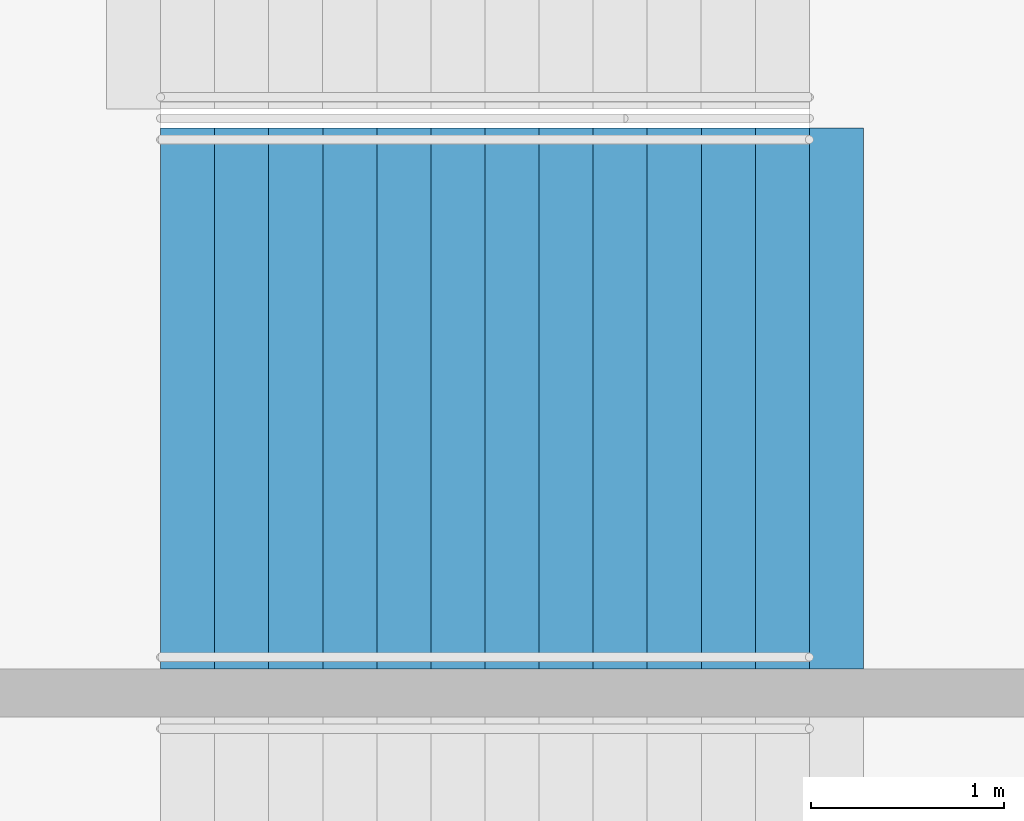
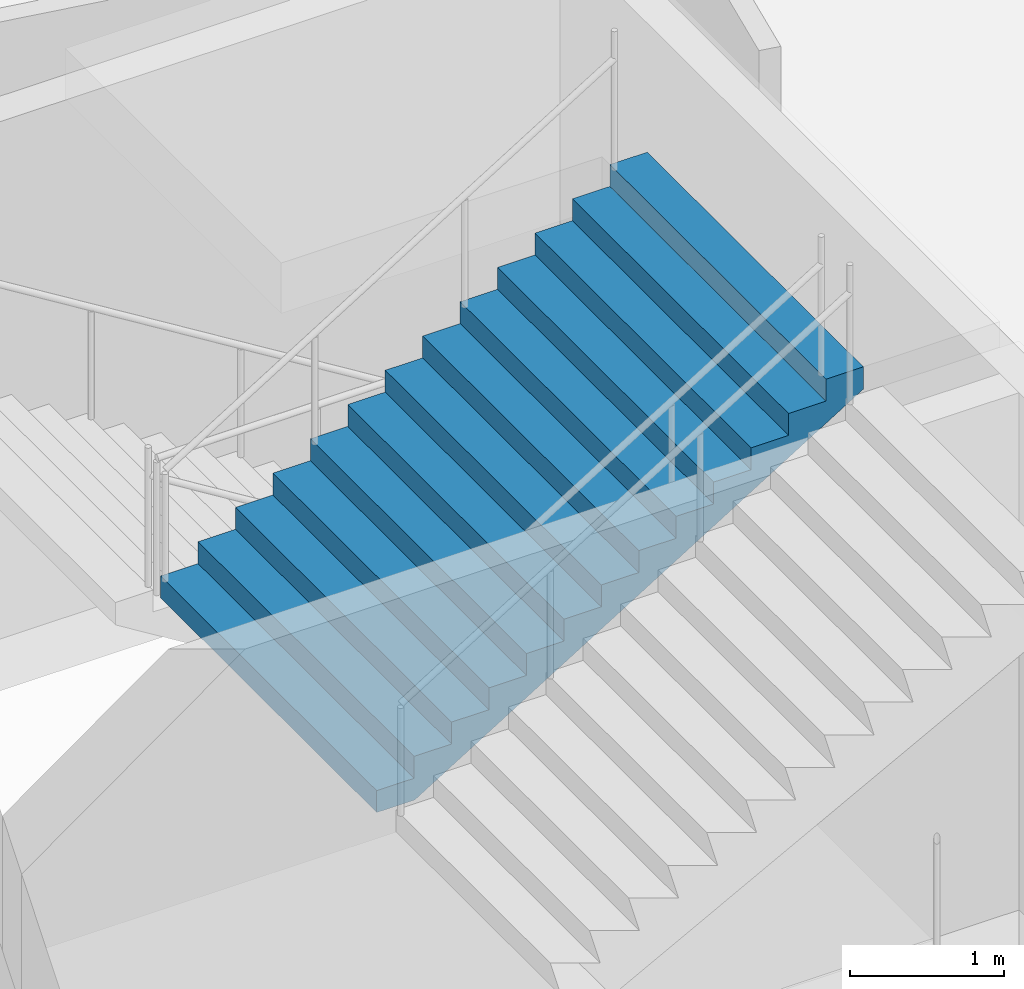
# One storey, part 156 of 199: 1 stair flight, 1 element without a shape of its own.
"""IFC4 building model written with IfcOpenShell, lengths in metres."""

from ifc_helpers import new_model, si_unit, direction, frame, origin, place, context, subcontext, project, spatial, faceted_brep, material, type_object, element, aggregate, save


model = new_model("IFC4")

# Units and contexts
model_context = context("Model", 3, precision=1e-05, world=origin(), true_north=direction((0.0, 1.0)))
body_context = subcontext(model_context, "Body", "Model", "MODEL_VIEW")
ifc_project = project(units=[si_unit("LENGTHUNIT", "METRE"), si_unit("AREAUNIT", "SQUARE_METRE"), si_unit("VOLUMEUNIT", "CUBIC_METRE"), si_unit("PLANEANGLEUNIT", "RADIAN"), si_unit("MASSUNIT", "GRAM", prefix="KILO")], contexts=[model_context])

# Site, building, storey
site_placement = place(None, origin())
site = spatial("IfcSite", under=ifc_project, at=site_placement, CompositionType="ELEMENT")
building_placement = place(site_placement, origin())
building = spatial("IfcBuilding", under=site, at=building_placement, Name="Ogive Plaza Stadium", CompositionType="ELEMENT")
storey_placement = place(building_placement, frame((0.0, 0.0, 4.5)))
storey = spatial("IfcBuildingStorey", under=building, at=storey_placement, Name="L01", CompositionType="ELEMENT", Elevation=4.5)

# Stair, stair flight
ifc_material_1 = material(Name="Concrete C40/50", Category="concrete")
stair_type = type_object("IfcStairType", Name="Exit stair", PredefinedType="STRAIGHT_RUN_STAIR", material=ifc_material_1)
stair_placement = place(storey_placement, origin())
stair = element("IfcStair", 1, at=stair_placement, inside=storey, type_object=stair_type, Name="Exit stair ST28A L01 to L02", PredefinedType="STRAIGHT_RUN_STAIR")
ifc_material_2 = material(Name="Concrete C40/50", Category="concrete")
stair_flight_type = type_object("IfcStairFlightType", Name="Exit stair flight", PredefinedType="STRAIGHT", material=ifc_material_2)
stair_flight_placement = place(storey_placement, frame((-79.7099609375, 54.02490234375, 2.25), z_axis=(0.0, 0.0, 1.0), x_axis=(1.0, 0.0, 0.0)))
stair_flight = element("IfcStairFlight", 2, at=stair_flight_placement, type_object=stair_flight_type, Name="ST28A flight 2", NumberOfRisers=13, NumberOfTreads=12, PredefinedType="STRAIGHT", RiserHeight=0.173076923, TreadLength=0.28, context=body_context, shape_type="Brep", body=[
    faceted_brep([(0.28515625, -1.39990234375, 0.0), (3.639892578125, -1.39990234375, 2.07373046875), (3.639892578125, -1.39990234375, 2.25), (3.360107421875, -1.39990234375, 2.25), (3.360107421875, -1.39990234375, 2.076904296875), (3.080078125, -1.39990234375, 2.076904296875), (3.080078125, -1.39990234375, 1.90380859375), (2.800048828125, -1.39990234375, 1.90380859375), (2.800048828125, -1.39990234375, 1.730712890625), (2.52001953125, -1.39990234375, 1.730712890625), (2.52001953125, -1.39990234375, 1.5576171875), (2.239990234375, -1.39990234375, 1.5576171875), (2.239990234375, -1.39990234375, 1.384521484375), (1.9599609375, -1.39990234375, 1.384521484375), (1.9599609375, -1.39990234375, 1.21142578125), (1.679931640625, -1.39990234375, 1.21142578125), (1.679931640625, -1.39990234375, 1.03857421875), (1.39990234375, -1.39990234375, 1.03857421875), (1.39990234375, -1.39990234375, 0.865478515625), (1.1201171875, -1.39990234375, 0.865478515625), (1.1201171875, -1.39990234375, 0.6923828125), (0.840087890625, -1.39990234375, 0.6923828125), (0.840087890625, -1.39990234375, 0.519287109375), (0.56005859375, -1.39990234375, 0.519287109375), (0.56005859375, -1.39990234375, 0.34619140625), (0.280029296875, -1.39990234375, 0.34619140625), (0.280029296875, -1.39990234375, 0.173095703125), (0.0, -1.39990234375, 0.173095703125), (0.0, -1.39990234375, 0.0), (0.0, 1.39990234375, 0.0), (0.0, 1.39990234375, 0.173095703125), (0.280029296875, 1.39990234375, 0.173095703125), (0.280029296875, 1.39990234375, 0.34619140625), (0.56005859375, 1.39990234375, 0.34619140625), (0.56005859375, 1.39990234375, 0.519287109375), (0.840087890625, 1.39990234375, 0.519287109375), (0.840087890625, 1.39990234375, 0.6923828125), (1.1201171875, 1.39990234375, 0.6923828125), (1.1201171875, 1.39990234375, 0.865478515625), (1.39990234375, 1.39990234375, 0.865478515625), (1.39990234375, 1.39990234375, 1.03857421875), (1.679931640625, 1.39990234375, 1.03857421875), (1.679931640625, 1.39990234375, 1.21142578125), (1.9599609375, 1.39990234375, 1.21142578125), (1.9599609375, 1.39990234375, 1.384521484375), (2.239990234375, 1.39990234375, 1.384521484375), (2.239990234375, 1.39990234375, 1.5576171875), (2.52001953125, 1.39990234375, 1.5576171875), (2.52001953125, 1.39990234375, 1.730712890625), (2.800048828125, 1.39990234375, 1.730712890625), (2.800048828125, 1.39990234375, 1.90380859375), (3.080078125, 1.39990234375, 1.90380859375), (3.080078125, 1.39990234375, 2.076904296875), (3.360107421875, 1.39990234375, 2.076904296875), (3.360107421875, 1.39990234375, 2.25), (3.639892578125, 1.39990234375, 2.25), (3.639892578125, 1.39990234375, 2.07373046875), (0.28515625, 1.39990234375, 0.0), (0.28515625, -1.0888671875, 0.0), (3.639892578125, -1.0888671875, 2.07373046875), (0.28515625, -0.77783203125, 0.0), (3.639892578125, -0.77783203125, 2.07373046875), (0.28515625, -0.466796875, 0.0), (3.639892578125, -0.466796875, 2.07373046875), (0.28515625, -0.155517578125, 0.0), (3.639892578125, -0.155517578125, 2.07373046875), (0.28515625, 0.155517578125, 0.0), (3.639892578125, 0.155517578125, 2.07373046875), (0.28515625, 0.466796875, 0.0), (3.639892578125, 0.466796875, 2.07373046875), (0.28515625, 0.77783203125, 0.0), (3.639892578125, 0.77783203125, 2.07373046875), (0.28515625, 1.0888671875, 0.0), (3.639892578125, 1.0888671875, 2.07373046875), (3.639892578125, -1.0888671875, 2.25), (3.639892578125, -0.77783203125, 2.25), (3.639892578125, -0.466796875, 2.25), (3.639892578125, -0.155517578125, 2.25), (3.639892578125, 0.155517578125, 2.25), (3.639892578125, 0.466796875, 2.25), (3.639892578125, 0.77783203125, 2.25), (3.639892578125, 1.0888671875, 2.25), (3.360107421875, -1.0888671875, 2.25), (3.360107421875, -0.77783203125, 2.25), (3.360107421875, -0.466796875, 2.25), (3.360107421875, -0.155517578125, 2.25), (3.360107421875, 0.155517578125, 2.25), (3.360107421875, 0.466796875, 2.25), (3.360107421875, 0.77783203125, 2.25), (3.360107421875, 1.0888671875, 2.25), (3.360107421875, -1.0888671875, 2.076904296875), (3.360107421875, -0.77783203125, 2.076904296875), (3.360107421875, -0.466796875, 2.076904296875), (3.360107421875, -0.155517578125, 2.076904296875), (3.360107421875, 0.155517578125, 2.076904296875), (3.360107421875, 0.466796875, 2.076904296875), (3.360107421875, 0.77783203125, 2.076904296875), (3.360107421875, 1.0888671875, 2.076904296875), (3.080078125, -1.0888671875, 2.076904296875), (3.080078125, -0.77783203125, 2.076904296875), (3.080078125, -0.466796875, 2.076904296875), (3.080078125, -0.155517578125, 2.076904296875), (3.080078125, 0.155517578125, 2.076904296875), (3.080078125, 0.466796875, 2.076904296875), (3.080078125, 0.77783203125, 2.076904296875), (3.080078125, 1.0888671875, 2.076904296875), (3.080078125, -1.0888671875, 1.90380859375), (3.080078125, -0.77783203125, 1.90380859375), (3.080078125, -0.466796875, 1.90380859375), (3.080078125, -0.155517578125, 1.90380859375), (3.080078125, 0.155517578125, 1.90380859375), (3.080078125, 0.466796875, 1.90380859375), (3.080078125, 0.77783203125, 1.90380859375), (3.080078125, 1.0888671875, 1.90380859375), (2.800048828125, -1.0888671875, 1.90380859375), (2.800048828125, -0.77783203125, 1.90380859375), (2.800048828125, -0.466796875, 1.90380859375), (2.800048828125, -0.155517578125, 1.90380859375), (2.800048828125, 0.155517578125, 1.90380859375), (2.800048828125, 0.466796875, 1.90380859375), (2.800048828125, 0.77783203125, 1.90380859375), (2.800048828125, 1.0888671875, 1.90380859375), (2.800048828125, -1.0888671875, 1.730712890625), (2.800048828125, -0.77783203125, 1.730712890625), (2.800048828125, -0.466796875, 1.730712890625), (2.800048828125, -0.155517578125, 1.730712890625), (2.800048828125, 0.155517578125, 1.730712890625), (2.800048828125, 0.466796875, 1.730712890625), (2.800048828125, 0.77783203125, 1.730712890625), (2.800048828125, 1.0888671875, 1.730712890625), (2.52001953125, -1.0888671875, 1.730712890625), (2.52001953125, -0.77783203125, 1.730712890625), (2.52001953125, -0.466796875, 1.730712890625), (2.52001953125, -0.155517578125, 1.730712890625), (2.52001953125, 0.155517578125, 1.730712890625), (2.52001953125, 0.466796875, 1.730712890625), (2.52001953125, 0.77783203125, 1.730712890625), (2.52001953125, 1.0888671875, 1.730712890625), (2.52001953125, -1.0888671875, 1.5576171875), (2.52001953125, -0.77783203125, 1.5576171875), (2.52001953125, -0.466796875, 1.5576171875), (2.52001953125, -0.155517578125, 1.5576171875), (2.52001953125, 0.155517578125, 1.5576171875), (2.52001953125, 0.466796875, 1.5576171875), (2.52001953125, 0.77783203125, 1.5576171875), (2.52001953125, 1.0888671875, 1.5576171875), (2.239990234375, -1.0888671875, 1.5576171875), (2.239990234375, -0.77783203125, 1.5576171875), (2.239990234375, -0.466796875, 1.5576171875), (2.239990234375, -0.155517578125, 1.5576171875), (2.239990234375, 0.155517578125, 1.5576171875), (2.239990234375, 0.466796875, 1.5576171875), (2.239990234375, 0.77783203125, 1.5576171875), (2.239990234375, 1.0888671875, 1.5576171875), (2.239990234375, -1.0888671875, 1.384521484375), (2.239990234375, -0.77783203125, 1.384521484375), (2.239990234375, -0.466796875, 1.384521484375), (2.239990234375, -0.155517578125, 1.384521484375), (2.239990234375, 0.155517578125, 1.384521484375), (2.239990234375, 0.466796875, 1.384521484375), (2.239990234375, 0.77783203125, 1.384521484375), (2.239990234375, 1.0888671875, 1.384521484375), (1.9599609375, -1.0888671875, 1.384521484375), (1.9599609375, -0.77783203125, 1.384521484375), (1.9599609375, -0.466796875, 1.384521484375), (1.9599609375, -0.155517578125, 1.384521484375), (1.9599609375, 0.155517578125, 1.384521484375), (1.9599609375, 0.466796875, 1.384521484375), (1.9599609375, 0.77783203125, 1.384521484375), (1.9599609375, 1.0888671875, 1.384521484375), (1.9599609375, -1.0888671875, 1.21142578125), (1.9599609375, -0.77783203125, 1.21142578125), (1.9599609375, -0.466796875, 1.21142578125), (1.9599609375, -0.155517578125, 1.21142578125), (1.9599609375, 0.155517578125, 1.21142578125), (1.9599609375, 0.466796875, 1.21142578125), (1.9599609375, 0.77783203125, 1.21142578125), (1.9599609375, 1.0888671875, 1.21142578125), (1.679931640625, -1.0888671875, 1.21142578125), (1.679931640625, -0.77783203125, 1.21142578125), (1.679931640625, -0.466796875, 1.21142578125), (1.679931640625, -0.155517578125, 1.21142578125), (1.679931640625, 0.155517578125, 1.21142578125), (1.679931640625, 0.466796875, 1.21142578125), (1.679931640625, 0.77783203125, 1.21142578125), (1.679931640625, 1.0888671875, 1.21142578125), (1.679931640625, -1.0888671875, 1.03857421875), (1.679931640625, -0.77783203125, 1.03857421875), (1.679931640625, -0.466796875, 1.03857421875), (1.679931640625, -0.155517578125, 1.03857421875), (1.679931640625, 0.155517578125, 1.03857421875), (1.679931640625, 0.466796875, 1.03857421875), (1.679931640625, 0.77783203125, 1.03857421875), (1.679931640625, 1.0888671875, 1.03857421875), (1.39990234375, -1.0888671875, 1.03857421875), (1.39990234375, -0.77783203125, 1.03857421875), (1.39990234375, -0.466796875, 1.03857421875), (1.39990234375, -0.155517578125, 1.03857421875), (1.39990234375, 0.155517578125, 1.03857421875), (1.39990234375, 0.466796875, 1.03857421875), (1.39990234375, 0.77783203125, 1.03857421875), (1.39990234375, 1.0888671875, 1.03857421875), (1.39990234375, -1.0888671875, 0.865478515625), (1.39990234375, -0.77783203125, 0.865478515625), (1.39990234375, -0.466796875, 0.865478515625), (1.39990234375, -0.155517578125, 0.865478515625), (1.39990234375, 0.155517578125, 0.865478515625), (1.39990234375, 0.466796875, 0.865478515625), (1.39990234375, 0.77783203125, 0.865478515625), (1.39990234375, 1.0888671875, 0.865478515625), (1.1201171875, -1.0888671875, 0.865478515625), (1.1201171875, -0.77783203125, 0.865478515625), (1.1201171875, -0.466796875, 0.865478515625), (1.1201171875, -0.155517578125, 0.865478515625), (1.1201171875, 0.155517578125, 0.865478515625), (1.1201171875, 0.466796875, 0.865478515625), (1.1201171875, 0.77783203125, 0.865478515625), (1.1201171875, 1.0888671875, 0.865478515625), (1.1201171875, -1.0888671875, 0.6923828125), (1.1201171875, -0.77783203125, 0.6923828125), (1.1201171875, -0.466796875, 0.6923828125), (1.1201171875, -0.155517578125, 0.6923828125), (1.1201171875, 0.155517578125, 0.6923828125), (1.1201171875, 0.466796875, 0.6923828125), (1.1201171875, 0.77783203125, 0.6923828125), (1.1201171875, 1.0888671875, 0.6923828125), (0.840087890625, -1.0888671875, 0.6923828125), (0.840087890625, -0.77783203125, 0.6923828125), (0.840087890625, -0.466796875, 0.6923828125), (0.840087890625, -0.155517578125, 0.6923828125), (0.840087890625, 0.155517578125, 0.6923828125), (0.840087890625, 0.466796875, 0.6923828125), (0.840087890625, 0.77783203125, 0.6923828125), (0.840087890625, 1.0888671875, 0.6923828125), (0.840087890625, -1.0888671875, 0.519287109375), (0.840087890625, -0.77783203125, 0.519287109375), (0.840087890625, -0.466796875, 0.519287109375), (0.840087890625, -0.155517578125, 0.519287109375), (0.840087890625, 0.155517578125, 0.519287109375), (0.840087890625, 0.466796875, 0.519287109375), (0.840087890625, 0.77783203125, 0.519287109375), (0.840087890625, 1.0888671875, 0.519287109375), (0.56005859375, -1.0888671875, 0.519287109375), (0.56005859375, -0.77783203125, 0.519287109375), (0.56005859375, -0.466796875, 0.519287109375), (0.56005859375, -0.155517578125, 0.519287109375), (0.56005859375, 0.155517578125, 0.519287109375), (0.56005859375, 0.466796875, 0.519287109375), (0.56005859375, 0.77783203125, 0.519287109375), (0.56005859375, 1.0888671875, 0.519287109375), (0.56005859375, -1.0888671875, 0.34619140625), (0.56005859375, -0.77783203125, 0.34619140625), (0.56005859375, -0.466796875, 0.34619140625), (0.56005859375, -0.155517578125, 0.34619140625), (0.56005859375, 0.155517578125, 0.34619140625), (0.56005859375, 0.466796875, 0.34619140625), (0.56005859375, 0.77783203125, 0.34619140625), (0.56005859375, 1.0888671875, 0.34619140625), (0.280029296875, -1.0888671875, 0.34619140625), (0.280029296875, -0.77783203125, 0.34619140625), (0.280029296875, -0.466796875, 0.34619140625), (0.280029296875, -0.155517578125, 0.34619140625), (0.280029296875, 0.155517578125, 0.34619140625), (0.280029296875, 0.466796875, 0.34619140625), (0.280029296875, 0.77783203125, 0.34619140625), (0.280029296875, 1.0888671875, 0.34619140625), (0.280029296875, -1.0888671875, 0.173095703125), (0.280029296875, -0.77783203125, 0.173095703125), (0.280029296875, -0.466796875, 0.173095703125), (0.280029296875, -0.155517578125, 0.173095703125), (0.280029296875, 0.155517578125, 0.173095703125), (0.280029296875, 0.466796875, 0.173095703125), (0.280029296875, 0.77783203125, 0.173095703125), (0.280029296875, 1.0888671875, 0.173095703125), (0.0, -1.0888671875, 0.173095703125), (0.0, -0.77783203125, 0.173095703125), (0.0, -0.466796875, 0.173095703125), (0.0, -0.155517578125, 0.173095703125), (0.0, 0.155517578125, 0.173095703125), (0.0, 0.466796875, 0.173095703125), (0.0, 0.77783203125, 0.173095703125), (0.0, 1.0888671875, 0.173095703125), (0.0, -1.0888671875, 0.0), (0.0, -0.77783203125, 0.0), (0.0, -0.466796875, 0.0), (0.0, -0.155517578125, 0.0), (0.0, 0.155517578125, 0.0), (0.0, 0.466796875, 0.0), (0.0, 0.77783203125, 0.0), (0.0, 1.0888671875, 0.0)], [[[0, 1, 2, 3, 4, 5, 6, 7, 8, 9, 10, 11, 12, 13, 14, 15, 16, 17, 18, 19, 20, 21, 22, 23, 24, 25, 26, 27, 28]], [[29, 30, 31, 32, 33, 34, 35, 36, 37, 38, 39, 40, 41, 42, 43, 44, 45, 46, 47, 48, 49, 50, 51, 52, 53, 54, 55, 56, 57]], [[0, 58, 59, 1]], [[58, 60, 61, 59]], [[60, 62, 63, 61]], [[62, 64, 65, 63]], [[64, 66, 67, 65]], [[66, 68, 69, 67]], [[68, 70, 71, 69]], [[70, 72, 73, 71]], [[72, 57, 56, 73]], [[1, 59, 74, 2]], [[59, 61, 75, 74]], [[61, 63, 76, 75]], [[63, 65, 77, 76]], [[65, 67, 78, 77]], [[67, 69, 79, 78]], [[69, 71, 80, 79]], [[71, 73, 81, 80]], [[73, 56, 55, 81]], [[2, 74, 82, 3]], [[74, 75, 83, 82]], [[75, 76, 84, 83]], [[76, 77, 85, 84]], [[77, 78, 86, 85]], [[78, 79, 87, 86]], [[79, 80, 88, 87]], [[80, 81, 89, 88]], [[81, 55, 54, 89]], [[3, 82, 90, 4]], [[82, 83, 91, 90]], [[83, 84, 92, 91]], [[84, 85, 93, 92]], [[85, 86, 94, 93]], [[86, 87, 95, 94]], [[87, 88, 96, 95]], [[88, 89, 97, 96]], [[89, 54, 53, 97]], [[4, 90, 98, 5]], [[90, 91, 99, 98]], [[91, 92, 100, 99]], [[92, 93, 101, 100]], [[93, 94, 102, 101]], [[94, 95, 103, 102]], [[95, 96, 104, 103]], [[96, 97, 105, 104]], [[97, 53, 52, 105]], [[5, 98, 106, 6]], [[98, 99, 107, 106]], [[99, 100, 108, 107]], [[100, 101, 109, 108]], [[101, 102, 110, 109]], [[102, 103, 111, 110]], [[103, 104, 112, 111]], [[104, 105, 113, 112]], [[105, 52, 51, 113]], [[6, 106, 114, 7]], [[106, 107, 115, 114]], [[107, 108, 116, 115]], [[108, 109, 117, 116]], [[109, 110, 118, 117]], [[110, 111, 119, 118]], [[111, 112, 120, 119]], [[112, 113, 121, 120]], [[113, 51, 50, 121]], [[7, 114, 122, 8]], [[114, 115, 123, 122]], [[115, 116, 124, 123]], [[116, 117, 125, 124]], [[117, 118, 126, 125]], [[118, 119, 127, 126]], [[119, 120, 128, 127]], [[120, 121, 129, 128]], [[121, 50, 49, 129]], [[8, 122, 130, 9]], [[122, 123, 131, 130]], [[123, 124, 132, 131]], [[124, 125, 133, 132]], [[125, 126, 134, 133]], [[126, 127, 135, 134]], [[127, 128, 136, 135]], [[128, 129, 137, 136]], [[129, 49, 48, 137]], [[9, 130, 138, 10]], [[130, 131, 139, 138]], [[131, 132, 140, 139]], [[132, 133, 141, 140]], [[133, 134, 142, 141]], [[134, 135, 143, 142]], [[135, 136, 144, 143]], [[136, 137, 145, 144]], [[137, 48, 47, 145]], [[10, 138, 146, 11]], [[138, 139, 147, 146]], [[139, 140, 148, 147]], [[140, 141, 149, 148]], [[141, 142, 150, 149]], [[142, 143, 151, 150]], [[143, 144, 152, 151]], [[144, 145, 153, 152]], [[145, 47, 46, 153]], [[11, 146, 154, 12]], [[146, 147, 155, 154]], [[147, 148, 156, 155]], [[148, 149, 157, 156]], [[149, 150, 158, 157]], [[150, 151, 159, 158]], [[151, 152, 160, 159]], [[152, 153, 161, 160]], [[153, 46, 45, 161]], [[12, 154, 162, 13]], [[154, 155, 163, 162]], [[155, 156, 164, 163]], [[156, 157, 165, 164]], [[157, 158, 166, 165]], [[158, 159, 167, 166]], [[159, 160, 168, 167]], [[160, 161, 169, 168]], [[161, 45, 44, 169]], [[13, 162, 170, 14]], [[162, 163, 171, 170]], [[163, 164, 172, 171]], [[164, 165, 173, 172]], [[165, 166, 174, 173]], [[166, 167, 175, 174]], [[167, 168, 176, 175]], [[168, 169, 177, 176]], [[169, 44, 43, 177]], [[14, 170, 178, 15]], [[170, 171, 179, 178]], [[171, 172, 180, 179]], [[172, 173, 181, 180]], [[173, 174, 182, 181]], [[174, 175, 183, 182]], [[175, 176, 184, 183]], [[176, 177, 185, 184]], [[177, 43, 42, 185]], [[15, 178, 186, 16]], [[178, 179, 187, 186]], [[179, 180, 188, 187]], [[180, 181, 189, 188]], [[181, 182, 190, 189]], [[182, 183, 191, 190]], [[183, 184, 192, 191]], [[184, 185, 193, 192]], [[185, 42, 41, 193]], [[16, 186, 194, 17]], [[186, 187, 195, 194]], [[187, 188, 196, 195]], [[188, 189, 197, 196]], [[189, 190, 198, 197]], [[190, 191, 199, 198]], [[191, 192, 200, 199]], [[192, 193, 201, 200]], [[193, 41, 40, 201]], [[17, 194, 202, 18]], [[194, 195, 203, 202]], [[195, 196, 204, 203]], [[196, 197, 205, 204]], [[197, 198, 206, 205]], [[198, 199, 207, 206]], [[199, 200, 208, 207]], [[200, 201, 209, 208]], [[201, 40, 39, 209]], [[18, 202, 210, 19]], [[202, 203, 211, 210]], [[203, 204, 212, 211]], [[204, 205, 213, 212]], [[205, 206, 214, 213]], [[206, 207, 215, 214]], [[207, 208, 216, 215]], [[208, 209, 217, 216]], [[209, 39, 38, 217]], [[19, 210, 218, 20]], [[210, 211, 219, 218]], [[211, 212, 220, 219]], [[212, 213, 221, 220]], [[213, 214, 222, 221]], [[214, 215, 223, 222]], [[215, 216, 224, 223]], [[216, 217, 225, 224]], [[217, 38, 37, 225]], [[20, 218, 226, 21]], [[218, 219, 227, 226]], [[219, 220, 228, 227]], [[220, 221, 229, 228]], [[221, 222, 230, 229]], [[222, 223, 231, 230]], [[223, 224, 232, 231]], [[224, 225, 233, 232]], [[225, 37, 36, 233]], [[21, 226, 234, 22]], [[226, 227, 235, 234]], [[227, 228, 236, 235]], [[228, 229, 237, 236]], [[229, 230, 238, 237]], [[230, 231, 239, 238]], [[231, 232, 240, 239]], [[232, 233, 241, 240]], [[233, 36, 35, 241]], [[22, 234, 242, 23]], [[234, 235, 243, 242]], [[235, 236, 244, 243]], [[236, 237, 245, 244]], [[237, 238, 246, 245]], [[238, 239, 247, 246]], [[239, 240, 248, 247]], [[240, 241, 249, 248]], [[241, 35, 34, 249]], [[23, 242, 250, 24]], [[242, 243, 251, 250]], [[243, 244, 252, 251]], [[244, 245, 253, 252]], [[245, 246, 254, 253]], [[246, 247, 255, 254]], [[247, 248, 256, 255]], [[248, 249, 257, 256]], [[249, 34, 33, 257]], [[24, 250, 258, 25]], [[250, 251, 259, 258]], [[251, 252, 260, 259]], [[252, 253, 261, 260]], [[253, 254, 262, 261]], [[254, 255, 263, 262]], [[255, 256, 264, 263]], [[256, 257, 265, 264]], [[257, 33, 32, 265]], [[25, 258, 266, 26]], [[258, 259, 267, 266]], [[259, 260, 268, 267]], [[260, 261, 269, 268]], [[261, 262, 270, 269]], [[262, 263, 271, 270]], [[263, 264, 272, 271]], [[264, 265, 273, 272]], [[265, 32, 31, 273]], [[26, 266, 274, 27]], [[266, 267, 275, 274]], [[267, 268, 276, 275]], [[268, 269, 277, 276]], [[269, 270, 278, 277]], [[270, 271, 279, 278]], [[271, 272, 280, 279]], [[272, 273, 281, 280]], [[273, 31, 30, 281]], [[27, 274, 282, 28]], [[274, 275, 283, 282]], [[275, 276, 284, 283]], [[276, 277, 285, 284]], [[277, 278, 286, 285]], [[278, 279, 287, 286]], [[279, 280, 288, 287]], [[280, 281, 289, 288]], [[281, 30, 29, 289]], [[28, 282, 58, 0]], [[282, 283, 60, 58]], [[283, 284, 62, 60]], [[284, 285, 64, 62]], [[285, 286, 66, 64]], [[286, 287, 68, 66]], [[287, 288, 70, 68]], [[288, 289, 72, 70]], [[289, 29, 57, 72]]]),
])
aggregate(stair, [stair_flight])

save(model, "model.ifc")
